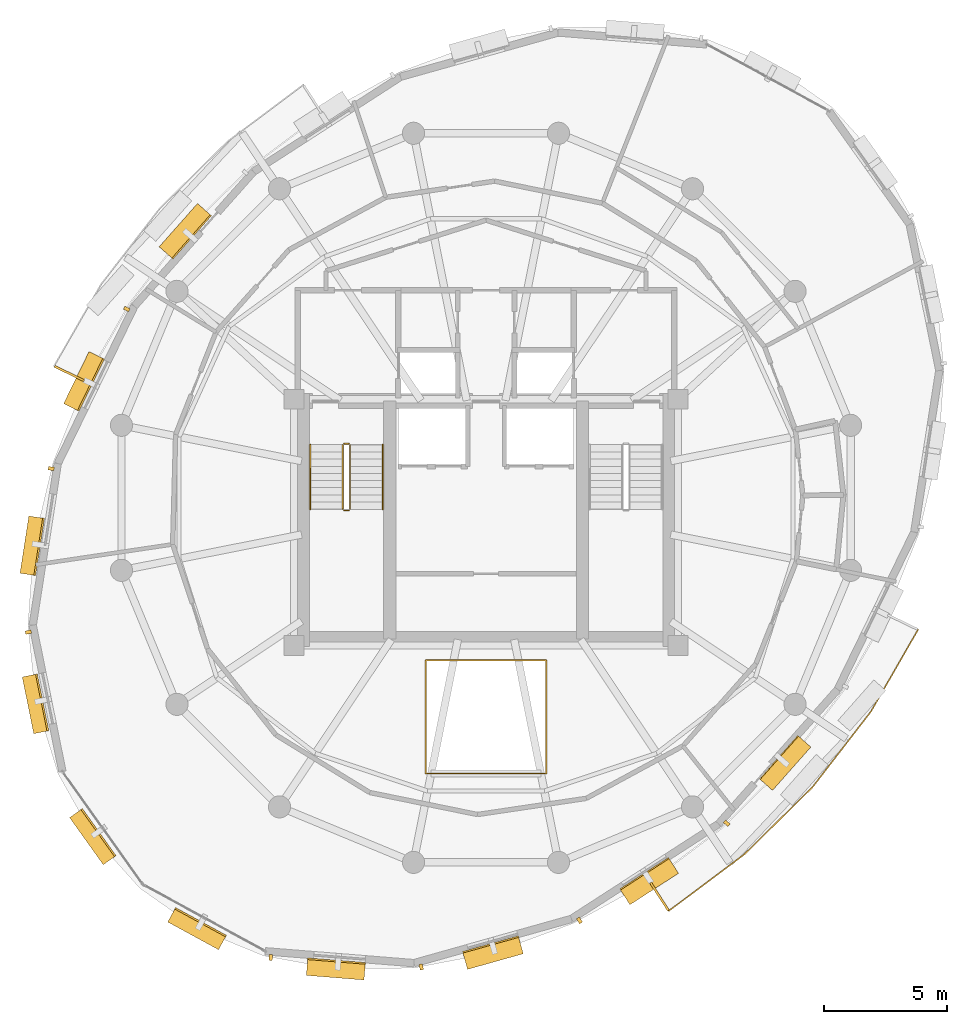
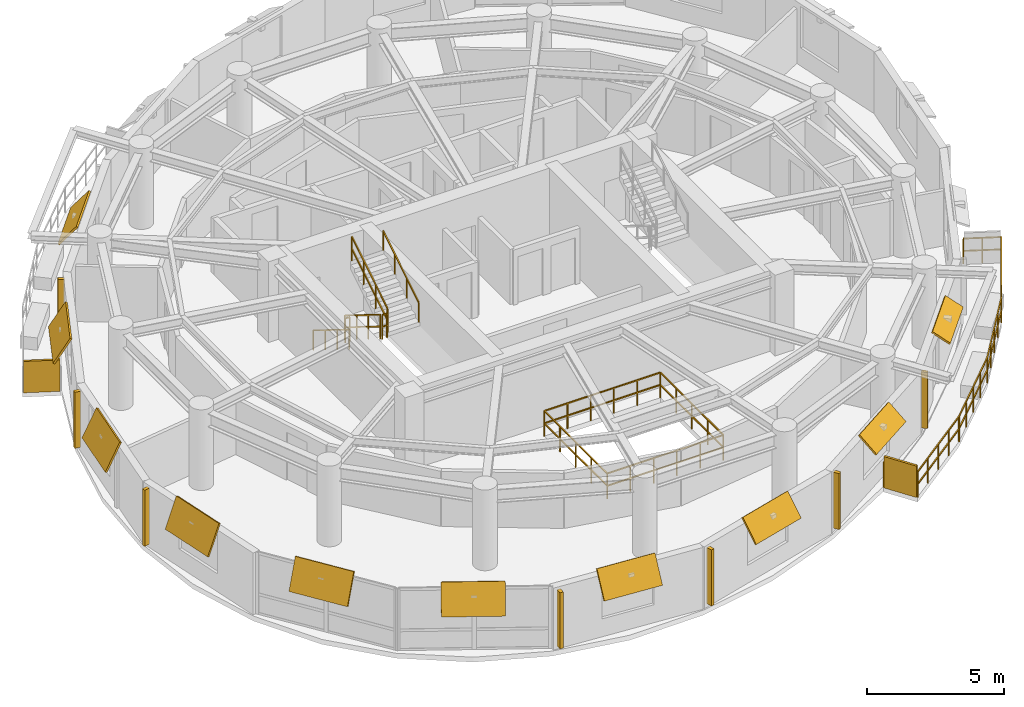
# One storey, part 10 of 11: 19 shading devices, 8 railings.
"""IFC4 building model written with IfcOpenShell, lengths in metres."""

from ifc_helpers import new_model, si_unit, direction, frame, origin, origin_2d, place, context, subcontext, project, spatial, rectangle, extrude, material, layer, layer_set, type_object, element, save


model = new_model("IFC4")

# Units and contexts
model_context = context("Model", 3, precision=1e-05, world=origin(), true_north=direction((0.0, 1.0)))
body_context = subcontext(model_context, "Body", "Model", "MODEL_VIEW")
ifc_project = project(units=[si_unit("LENGTHUNIT", "METRE"), si_unit("AREAUNIT", "SQUARE_METRE"), si_unit("VOLUMEUNIT", "CUBIC_METRE"), si_unit("PLANEANGLEUNIT", "RADIAN"), si_unit("MASSUNIT", "GRAM", prefix="KILO"), si_unit("THERMODYNAMICTEMPERATUREUNIT", "KELVIN"), si_unit("POWERUNIT", "WATT")], contexts=[model_context])

# Site, building, storey
site_placement = place(None, origin())
site = spatial("IfcSite", under=ifc_project, at=site_placement, CompositionType="ELEMENT")
building_placement = place(site_placement, origin())
building = spatial("IfcBuilding", under=site, at=building_placement, Name="Ocrelia Relay Tower", CompositionType="ELEMENT")
storey_placement = place(building_placement, frame((0.0, 0.0, 234.0)))
storey = spatial("IfcBuildingStorey", under=building, at=storey_placement, Name="L57", CompositionType="ELEMENT", Elevation=234.0)

# Railings
ifc_material_1 = material(Name="Steel S355 balustrade", Category="steel")
railing_type_1 = type_object("IfcRailingType", Name="RL-EXT-GUARD-1150", PredefinedType="GUARDRAIL", material=ifc_material_1)
railing_1_placement = place(storey_placement, frame((50.29931640625, 21.25390625, 0.0)))
element("IfcRailing", 1, at=railing_1_placement, inside=storey, type_object=railing_type_1, Name="L57 Loggia Balcony Guard Rail B2", PredefinedType="GUARDRAIL", context=body_context, shape_type="SweptSolid", body=[
    extrude(rectangle(XDim=0.048095703125, YDim=0.048095703125, at=origin_2d()), frame((0.0, 0.0, 1.1259765625), z_axis=(0.899793261261, -0.436316498645, 0.0), x_axis=(0.436316498645, 0.899793261261, 0.0)), (0.0, 0.0, 1.0), 1.393310546875),
    extrude(rectangle(XDim=0.048095703125, YDim=0.048095703125, at=origin_2d()), frame((0.0, 0.0, 0.574951171875), z_axis=(0.899793261261, -0.436316498645, 0.0), x_axis=(0.436316498645, 0.899793261261, 0.0)), (0.0, 0.0, 1.0), 1.393310546875),
    extrude(rectangle(XDim=0.048095703125, YDim=0.048095703125, at=origin_2d()), frame((1.253662109375, -0.60791015625, 1.1259765625), z_axis=(-0.498518886145, -0.866878838222, 0.0), x_axis=(0.866878838222, -0.498518886145, 0.0)), (0.0, 0.0, 1.0), 1.920654296875),
    extrude(rectangle(XDim=0.048095703125, YDim=0.048095703125, at=origin_2d()), frame((1.253662109375, -0.60791015625, 0.574951171875), z_axis=(-0.498518886145, -0.866878838222, 0.0), x_axis=(0.866878838222, -0.498518886145, 0.0)), (0.0, 0.0, 1.0), 1.920654296875),
    extrude(rectangle(XDim=0.048095703125, YDim=0.048095703125, at=origin_2d()), frame((0.296142578125, -2.27294921875, 1.1259765625), z_axis=(-0.498614396299, -0.866823905879, 0.0), x_axis=(0.866823905879, -0.498614396299, 0.0)), (0.0, 0.0, 1.0), 1.9208984375),
    extrude(rectangle(XDim=0.048095703125, YDim=0.048095703125, at=origin_2d()), frame((0.296142578125, -2.27294921875, 0.574951171875), z_axis=(-0.498614396299, -0.866823905879, 0.0), x_axis=(0.866823905879, -0.498614396299, 0.0)), (0.0, 0.0, 1.0), 1.9208984375),
    extrude(rectangle(XDim=0.048095703125, YDim=0.048095703125, at=origin_2d()), frame((-0.66162109375, -3.93798828125, 1.1259765625), z_axis=(-0.611569211269, -0.791190937655, 0.0), x_axis=(0.791190937655, -0.611569211269, 0.0)), (0.0, 0.0, 1.0), 3.8818359375),
    extrude(rectangle(XDim=0.048095703125, YDim=0.048095703125, at=origin_2d()), frame((-0.66162109375, -3.93798828125, 0.574951171875), z_axis=(-0.611569211269, -0.791190937655, 0.0), x_axis=(0.791190937655, -0.611569211269, 0.0)), (0.0, 0.0, 1.0), 3.8818359375),
    extrude(rectangle(XDim=0.048095703125, YDim=0.048095703125, at=origin_2d()), frame((-3.03564453125, -7.00927734375, 1.1259765625), z_axis=(-0.7119953063, -0.702184223553, 0.0), x_axis=(0.702184223553, -0.7119953063, 0.0)), (0.0, 0.0, 1.0), 3.8818359375),
    extrude(rectangle(XDim=0.048095703125, YDim=0.048095703125, at=origin_2d()), frame((-3.03564453125, -7.00927734375, 0.574951171875), z_axis=(-0.7119953063, -0.702184223553, 0.0), x_axis=(0.702184223553, -0.7119953063, 0.0)), (0.0, 0.0, 1.0), 3.8818359375),
    extrude(rectangle(XDim=0.048095703125, YDim=0.048095703125, at=origin_2d()), frame((-5.799560546875, -9.735107421875, 1.1259765625), z_axis=(-0.800685887632, -0.599084392508, 0.0), x_axis=(0.599084392508, -0.800685887632, 0.0)), (0.0, 0.0, 1.0), 1.920654296875),
    extrude(rectangle(XDim=0.048095703125, YDim=0.048095703125, at=origin_2d()), frame((-5.799560546875, -9.735107421875, 0.574951171875), z_axis=(-0.800685887632, -0.599084392508, 0.0), x_axis=(0.599084392508, -0.800685887632, 0.0)), (0.0, 0.0, 1.0), 1.920654296875),
    extrude(rectangle(XDim=0.048095703125, YDim=0.048095703125, at=origin_2d()), frame((-7.33740234375, -10.8857421875, 1.1259765625), z_axis=(-0.800624914682, -0.599165875188, 0.0), x_axis=(0.599165875188, -0.800624914682, 0.0)), (0.0, 0.0, 1.0), 1.9208984375),
    extrude(rectangle(XDim=0.048095703125, YDim=0.048095703125, at=origin_2d()), frame((-7.33740234375, -10.8857421875, 0.574951171875), z_axis=(-0.800624914682, -0.599165875188, 0.0), x_axis=(0.599165875188, -0.800624914682, 0.0)), (0.0, 0.0, 1.0), 1.9208984375),
    extrude(rectangle(XDim=0.048095703125, YDim=0.048095703125, at=origin_2d()), frame((-8.875244140625, -12.03662109375, 1.1259765625), z_axis=(-0.541244565297, 0.840865221386, 0.0), x_axis=(-0.840865221386, -0.541244565297, 0.0)), (0.0, 0.0, 1.0), 1.393310546875),
    extrude(rectangle(XDim=0.048095703125, YDim=0.048095703125, at=origin_2d()), frame((-8.875244140625, -12.03662109375, 0.574951171875), z_axis=(-0.541244565297, 0.840865221386, 0.0), x_axis=(-0.840865221386, -0.541244565297, 0.0)), (0.0, 0.0, 1.0), 1.393310546875),
    extrude(rectangle(XDim=0.0419921875, YDim=0.0419921875, at=origin_2d()), origin(), (0.0, 0.0, 1.0), 1.101806640625),
    extrude(rectangle(XDim=0.0419921875, YDim=0.0419921875, at=origin_2d()), frame((0.626953125, -0.303955078125, 0.0)), (0.0, 0.0, 1.0), 1.101806640625),
    extrude(rectangle(XDim=0.0419921875, YDim=0.0419921875, at=origin_2d()), frame((1.253662109375, -0.60791015625, 0.0)), (0.0, 0.0, 1.0), 1.101806640625),
    extrude(rectangle(XDim=0.0419921875, YDim=0.0419921875, at=origin_2d()), frame((0.77490234375, -1.4404296875, 0.0)), (0.0, 0.0, 1.0), 1.101806640625),
    extrude(rectangle(XDim=0.0419921875, YDim=0.0419921875, at=origin_2d()), frame((0.296142578125, -2.27294921875, 0.0)), (0.0, 0.0, 1.0), 1.101806640625),
    extrude(rectangle(XDim=0.0419921875, YDim=0.0419921875, at=origin_2d()), frame((-0.1826171875, -3.10546875, 0.0)), (0.0, 0.0, 1.0), 1.101806640625),
    extrude(rectangle(XDim=0.0419921875, YDim=0.0419921875, at=origin_2d()), frame((-0.66162109375, -3.93798828125, 0.0)), (0.0, 0.0, 1.0), 1.101806640625),
    extrude(rectangle(XDim=0.0419921875, YDim=0.0419921875, at=origin_2d()), frame((-1.255126953125, -4.705810546875, 0.0)), (0.0, 0.0, 1.0), 1.101806640625),
    extrude(rectangle(XDim=0.0419921875, YDim=0.0419921875, at=origin_2d()), frame((-1.8486328125, -5.4736328125, 0.0)), (0.0, 0.0, 1.0), 1.101806640625),
    extrude(rectangle(XDim=0.0419921875, YDim=0.0419921875, at=origin_2d()), frame((-2.442138671875, -6.241455078125, 0.0)), (0.0, 0.0, 1.0), 1.101806640625),
    extrude(rectangle(XDim=0.0419921875, YDim=0.0419921875, at=origin_2d()), frame((-3.03564453125, -7.00927734375, 0.0)), (0.0, 0.0, 1.0), 1.101806640625),
    extrude(rectangle(XDim=0.0419921875, YDim=0.0419921875, at=origin_2d()), frame((-3.7265625, -7.690673828125, 0.0)), (0.0, 0.0, 1.0), 1.101806640625),
    extrude(rectangle(XDim=0.0419921875, YDim=0.0419921875, at=origin_2d()), frame((-4.41748046875, -8.3720703125, 0.0)), (0.0, 0.0, 1.0), 1.101806640625),
    extrude(rectangle(XDim=0.0419921875, YDim=0.0419921875, at=origin_2d()), frame((-5.108642578125, -9.0537109375, 0.0)), (0.0, 0.0, 1.0), 1.101806640625),
    extrude(rectangle(XDim=0.0419921875, YDim=0.0419921875, at=origin_2d()), frame((-5.799560546875, -9.735107421875, 0.0)), (0.0, 0.0, 1.0), 1.101806640625),
    extrude(rectangle(XDim=0.0419921875, YDim=0.0419921875, at=origin_2d()), frame((-6.568359375, -10.310546875, 0.0)), (0.0, 0.0, 1.0), 1.101806640625),
    extrude(rectangle(XDim=0.0419921875, YDim=0.0419921875, at=origin_2d()), frame((-7.33740234375, -10.8857421875, 0.0)), (0.0, 0.0, 1.0), 1.101806640625),
    extrude(rectangle(XDim=0.0419921875, YDim=0.0419921875, at=origin_2d()), frame((-8.1064453125, -11.461181640625, 0.0)), (0.0, 0.0, 1.0), 1.101806640625),
    extrude(rectangle(XDim=0.0419921875, YDim=0.0419921875, at=origin_2d()), frame((-8.875244140625, -12.03662109375, 0.0)), (0.0, 0.0, 1.0), 1.101806640625),
    extrude(rectangle(XDim=0.0419921875, YDim=0.0419921875, at=origin_2d()), frame((-9.25244140625, -11.45068359375, 0.0)), (0.0, 0.0, 1.0), 1.101806640625),
    extrude(rectangle(XDim=0.0419921875, YDim=0.0419921875, at=origin_2d()), frame((-9.62939453125, -10.864990234375, 0.0)), (0.0, 0.0, 1.0), 1.101806640625),
])
ifc_material_2 = material(Name="Steel S355 atrium balustrade", Category="steel")
railing_type_2 = type_object("IfcRailingType", Name="RL-INT-GUARD-115", PredefinedType="GUARDRAIL", material=ifc_material_2)
railing_2_placement = place(storey_placement, frame((31.550048828125, 14.800048828125, 0.0)))
element("IfcRailing", 2, at=railing_2_placement, inside=storey, type_object=railing_type_2, Name="L57 Multi-Zone Interior Atrium Guard", PredefinedType="GUARDRAIL", context=body_context, shape_type="SweptSolid", body=[
    extrude(rectangle(XDim=0.048095703125, YDim=0.048095703125, at=origin_2d()), frame((0.0, 0.0, 1.1259765625), z_axis=(1.0, 0.0, 0.0), x_axis=(0.0, 1.0, 0.0)), (0.0, 0.0, 1.0), 4.89990234375),
    extrude(rectangle(XDim=0.048095703125, YDim=0.048095703125, at=origin_2d()), frame((0.0, 0.0, 0.574951171875), z_axis=(1.0, 0.0, 0.0), x_axis=(0.0, 1.0, 0.0)), (0.0, 0.0, 1.0), 4.89990234375),
    extrude(rectangle(XDim=0.048095703125, YDim=0.048095703125, at=origin_2d()), frame((4.89990234375, 0.0, 1.1259765625), z_axis=(0.0, 1.0, 0.0), x_axis=(-1.0, 0.0, 0.0)), (0.0, 0.0, 1.0), 4.599853515625),
    extrude(rectangle(XDim=0.048095703125, YDim=0.048095703125, at=origin_2d()), frame((4.89990234375, 0.0, 0.574951171875), z_axis=(0.0, 1.0, 0.0), x_axis=(-1.0, 0.0, 0.0)), (0.0, 0.0, 1.0), 4.599853515625),
    extrude(rectangle(XDim=0.048095703125, YDim=0.048095703125, at=origin_2d()), frame((4.89990234375, 4.599853515625, 1.1259765625), z_axis=(-1.0, 0.0, 0.0), x_axis=(0.0, -1.0, 0.0)), (0.0, 0.0, 1.0), 4.89990234375),
    extrude(rectangle(XDim=0.048095703125, YDim=0.048095703125, at=origin_2d()), frame((4.89990234375, 4.599853515625, 0.574951171875), z_axis=(-1.0, 0.0, 0.0), x_axis=(0.0, -1.0, 0.0)), (0.0, 0.0, 1.0), 4.89990234375),
    extrude(rectangle(XDim=0.048095703125, YDim=0.048095703125, at=origin_2d()), frame((0.0, 4.599853515625, 1.1259765625), z_axis=(0.0, -1.0, 0.0), x_axis=(1.0, 0.0, 0.0)), (0.0, 0.0, 1.0), 4.599853515625),
    extrude(rectangle(XDim=0.048095703125, YDim=0.048095703125, at=origin_2d()), frame((0.0, 4.599853515625, 0.574951171875), z_axis=(0.0, -1.0, 0.0), x_axis=(1.0, 0.0, 0.0)), (0.0, 0.0, 1.0), 4.599853515625),
    extrude(rectangle(XDim=0.0419921875, YDim=0.0419921875, at=origin_2d()), origin(), (0.0, 0.0, 1.0), 1.101806640625),
    extrude(rectangle(XDim=0.0419921875, YDim=0.0419921875, at=origin_2d()), frame((0.97998046875, 0.0, 0.0)), (0.0, 0.0, 1.0), 1.101806640625),
    extrude(rectangle(XDim=0.0419921875, YDim=0.0419921875, at=origin_2d()), frame((1.9599609375, 0.0, 0.0)), (0.0, 0.0, 1.0), 1.101806640625),
    extrude(rectangle(XDim=0.0419921875, YDim=0.0419921875, at=origin_2d()), frame((2.93994140625, 0.0, 0.0)), (0.0, 0.0, 1.0), 1.101806640625),
    extrude(rectangle(XDim=0.0419921875, YDim=0.0419921875, at=origin_2d()), frame((3.919921875, 0.0, 0.0)), (0.0, 0.0, 1.0), 1.101806640625),
    extrude(rectangle(XDim=0.0419921875, YDim=0.0419921875, at=origin_2d()), frame((4.89990234375, 0.0, 0.0)), (0.0, 0.0, 1.0), 1.101806640625),
    extrude(rectangle(XDim=0.0419921875, YDim=0.0419921875, at=origin_2d()), frame((4.89990234375, 1.14990234375, 0.0)), (0.0, 0.0, 1.0), 1.101806640625),
    extrude(rectangle(XDim=0.0419921875, YDim=0.0419921875, at=origin_2d()), frame((4.89990234375, 2.2998046875, 0.0)), (0.0, 0.0, 1.0), 1.101806640625),
    extrude(rectangle(XDim=0.0419921875, YDim=0.0419921875, at=origin_2d()), frame((4.89990234375, 3.449951171875, 0.0)), (0.0, 0.0, 1.0), 1.101806640625),
    extrude(rectangle(XDim=0.0419921875, YDim=0.0419921875, at=origin_2d()), frame((4.89990234375, 4.599853515625, 0.0)), (0.0, 0.0, 1.0), 1.101806640625),
    extrude(rectangle(XDim=0.0419921875, YDim=0.0419921875, at=origin_2d()), frame((3.919921875, 4.599853515625, 0.0)), (0.0, 0.0, 1.0), 1.101806640625),
    extrude(rectangle(XDim=0.0419921875, YDim=0.0419921875, at=origin_2d()), frame((2.93994140625, 4.599853515625, 0.0)), (0.0, 0.0, 1.0), 1.101806640625),
    extrude(rectangle(XDim=0.0419921875, YDim=0.0419921875, at=origin_2d()), frame((1.9599609375, 4.599853515625, 0.0)), (0.0, 0.0, 1.0), 1.101806640625),
    extrude(rectangle(XDim=0.0419921875, YDim=0.0419921875, at=origin_2d()), frame((0.97998046875, 4.599853515625, 0.0)), (0.0, 0.0, 1.0), 1.101806640625),
    extrude(rectangle(XDim=0.0419921875, YDim=0.0419921875, at=origin_2d()), frame((0.0, 4.599853515625, 0.0)), (0.0, 0.0, 1.0), 1.101806640625),
    extrude(rectangle(XDim=0.0419921875, YDim=0.0419921875, at=origin_2d()), frame((0.0, 3.449951171875, 0.0)), (0.0, 0.0, 1.0), 1.101806640625),
    extrude(rectangle(XDim=0.0419921875, YDim=0.0419921875, at=origin_2d()), frame((0.0, 2.2998046875, 0.0)), (0.0, 0.0, 1.0), 1.101806640625),
    extrude(rectangle(XDim=0.0419921875, YDim=0.0419921875, at=origin_2d()), frame((0.0, 1.14990234375, 0.0)), (0.0, 0.0, 1.0), 1.101806640625),
])
railing_type_3 = type_object("IfcRailingType", Name="RL-STAIR-GUARD", PredefinedType="GUARDRAIL", material=ifc_material_1)
railing_3_placement = place(storey_placement, frame((28.179931640625, 28.14990234375, 0.179931640625)))
element("IfcRailing", 3, at=railing_3_placement, inside=storey, type_object=railing_type_3, Name="L57 ST1 stair guard 1", PredefinedType="GUARDRAIL", context=body_context, shape_type="SweptSolid", body=[
    extrude(rectangle(XDim=0.048095703125, YDim=0.048095703125, at=origin_2d()), frame((0.0, 0.0, 1.076171875), z_axis=(0.0, -0.849610693518, 0.52741034258), x_axis=(1.0, 0.0, 0.0)), (0.0, 0.0, 1.0), 3.07177734375),
    extrude(rectangle(XDim=0.048095703125, YDim=0.048095703125, at=origin_2d()), frame((0.0, 0.0, 0.550048828125), z_axis=(0.0, -0.849610693518, 0.52741034258), x_axis=(1.0, 0.0, 0.0)), (0.0, 0.0, 1.0), 3.07177734375),
    extrude(rectangle(XDim=0.0419921875, YDim=0.0419921875, at=origin_2d()), origin(), (0.0, 0.0, 1.0), 1.052001953125),
    extrude(rectangle(XDim=0.0419921875, YDim=0.0419921875, at=origin_2d()), frame((0.0, -0.869873046875, 0.5400390625)), (0.0, 0.0, 1.0), 1.052001953125),
    extrude(rectangle(XDim=0.0419921875, YDim=0.0419921875, at=origin_2d()), frame((0.0, -1.739990234375, 1.080078125)), (0.0, 0.0, 1.0), 1.052001953125),
    extrude(rectangle(XDim=0.0419921875, YDim=0.0419921875, at=origin_2d()), frame((0.0, -2.60986328125, 1.6201171875)), (0.0, 0.0, 1.0), 1.052001953125),
])
railing_4_placement = place(storey_placement, frame((28.22998046875, 25.489990234375, 1.800048828125)))
element("IfcRailing", 4, at=railing_4_placement, inside=storey, type_object=railing_type_3, Name="L57 ST1 stair guard 2", PredefinedType="GUARDRAIL", context=body_context, shape_type="SweptSolid", body=[
    extrude(rectangle(XDim=0.048095703125, YDim=0.048095703125, at=origin_2d()), frame((0.0, 0.0, 1.076171875), z_axis=(1.0, 0.0, 0.0), x_axis=(0.0, 1.0, 0.0)), (0.0, 0.0, 1.0), 0.199951171875),
    extrude(rectangle(XDim=0.048095703125, YDim=0.048095703125, at=origin_2d()), frame((0.0, 0.0, 0.550048828125), z_axis=(1.0, 0.0, 0.0), x_axis=(0.0, 1.0, 0.0)), (0.0, 0.0, 1.0), 0.199951171875),
    extrude(rectangle(XDim=0.0419921875, YDim=0.0419921875, at=origin_2d()), origin(), (0.0, 0.0, 1.0), 1.052001953125),
    extrude(rectangle(XDim=0.0419921875, YDim=0.0419921875, at=origin_2d()), frame((0.199951171875, 0.0, 0.0)), (0.0, 0.0, 1.0), 1.052001953125),
])
railing_5_placement = place(storey_placement, frame((28.47998046875, 25.5400390625, 1.97998046875)))
element("IfcRailing", 5, at=railing_5_placement, inside=storey, type_object=railing_type_3, Name="L57 ST1 stair guard 3", PredefinedType="GUARDRAIL", context=body_context, shape_type="SweptSolid", body=[
    extrude(rectangle(XDim=0.048095703125, YDim=0.048095703125, at=origin_2d()), frame((0.0, 0.0, 1.076171875), z_axis=(0.0, 0.849610693518, 0.52741034258), x_axis=(-1.0, 0.0, 0.0)), (0.0, 0.0, 1.0), 3.07177734375),
    extrude(rectangle(XDim=0.048095703125, YDim=0.048095703125, at=origin_2d()), frame((0.0, 0.0, 0.550048828125), z_axis=(0.0, 0.849610693518, 0.52741034258), x_axis=(-1.0, 0.0, 0.0)), (0.0, 0.0, 1.0), 3.07177734375),
    extrude(rectangle(XDim=0.0419921875, YDim=0.0419921875, at=origin_2d()), origin(), (0.0, 0.0, 1.0), 1.052001953125),
    extrude(rectangle(XDim=0.0419921875, YDim=0.0419921875, at=origin_2d()), frame((0.0, 0.869873046875, 0.5400390625)), (0.0, 0.0, 1.0), 1.052001953125),
    extrude(rectangle(XDim=0.0419921875, YDim=0.0419921875, at=origin_2d()), frame((0.0, 1.739990234375, 1.080078125)), (0.0, 0.0, 1.0), 1.052001953125),
    extrude(rectangle(XDim=0.0419921875, YDim=0.0419921875, at=origin_2d()), frame((0.0, 2.60986328125, 1.6201171875)), (0.0, 0.0, 1.0), 1.052001953125),
])
railing_6_placement = place(storey_placement, frame((28.22998046875, 28.199951171875, 0.0)))
element("IfcRailing", 6, at=railing_6_placement, inside=storey, type_object=railing_type_3, Name="L57 ST1 stair guard 4", PredefinedType="GUARDRAIL", context=body_context, shape_type="SweptSolid", body=[
    extrude(rectangle(XDim=0.048095703125, YDim=0.048095703125, at=origin_2d()), frame((0.0, 0.0, 1.076171875), z_axis=(1.0, 0.0, 0.0), x_axis=(0.0, 1.0, 0.0)), (0.0, 0.0, 1.0), 0.199951171875),
    extrude(rectangle(XDim=0.048095703125, YDim=0.048095703125, at=origin_2d()), frame((0.0, 0.0, 0.550048828125), z_axis=(1.0, 0.0, 0.0), x_axis=(0.0, 1.0, 0.0)), (0.0, 0.0, 1.0), 0.199951171875),
    extrude(rectangle(XDim=0.0419921875, YDim=0.0419921875, at=origin_2d()), origin(), (0.0, 0.0, 1.0), 1.052001953125),
    extrude(rectangle(XDim=0.0419921875, YDim=0.0419921875, at=origin_2d()), frame((0.199951171875, 0.0, 0.0)), (0.0, 0.0, 1.0), 1.052001953125),
])
ifc_material_3 = material(Name="Steel S355 tubular handrail", Category="steel")
railing_type_4 = type_object("IfcRailingType", Name="RL-STAIR-HAND", PredefinedType="HANDRAIL", material=ifc_material_3)
railing_7_placement = place(storey_placement, frame((26.860107421875, 28.14990234375, 0.179931640625)))
element("IfcRailing", 7, at=railing_7_placement, inside=storey, type_object=railing_type_4, Name="L57 ST1 stair handrail 1", PredefinedType="HANDRAIL", context=body_context, shape_type="SweptSolid", body=[
    extrude(rectangle(XDim=0.048095703125, YDim=0.048095703125, at=origin_2d()), frame((0.0, 0.0, 0.8759765625), z_axis=(0.0, -0.849610693518, 0.52741034258), x_axis=(1.0, 0.0, 0.0)), (0.0, 0.0, 1.0), 3.07177734375),
    extrude(rectangle(XDim=0.0419921875, YDim=0.0419921875, at=origin_2d()), origin(), (0.0, 0.0, 1.0), 0.851806640625),
    extrude(rectangle(XDim=0.0419921875, YDim=0.0419921875, at=origin_2d()), frame((0.0, -0.869873046875, 0.5400390625)), (0.0, 0.0, 1.0), 0.851806640625),
    extrude(rectangle(XDim=0.0419921875, YDim=0.0419921875, at=origin_2d()), frame((0.0, -1.739990234375, 1.080078125)), (0.0, 0.0, 1.0), 0.851806640625),
    extrude(rectangle(XDim=0.0419921875, YDim=0.0419921875, at=origin_2d()), frame((0.0, -2.60986328125, 1.6201171875)), (0.0, 0.0, 1.0), 0.851806640625),
])
railing_8_placement = place(storey_placement, frame((29.800048828125, 25.5400390625, 1.97998046875)))
element("IfcRailing", 8, at=railing_8_placement, inside=storey, type_object=railing_type_4, Name="L57 ST1 stair handrail 2", PredefinedType="HANDRAIL", context=body_context, shape_type="SweptSolid", body=[
    extrude(rectangle(XDim=0.048095703125, YDim=0.048095703125, at=origin_2d()), frame((0.0, 0.0, 0.8759765625), z_axis=(0.0, 0.849610693518, 0.52741034258), x_axis=(-1.0, 0.0, 0.0)), (0.0, 0.0, 1.0), 3.07177734375),
    extrude(rectangle(XDim=0.0419921875, YDim=0.0419921875, at=origin_2d()), origin(), (0.0, 0.0, 1.0), 0.851806640625),
    extrude(rectangle(XDim=0.0419921875, YDim=0.0419921875, at=origin_2d()), frame((0.0, 0.869873046875, 0.5400390625)), (0.0, 0.0, 1.0), 0.851806640625),
    extrude(rectangle(XDim=0.0419921875, YDim=0.0419921875, at=origin_2d()), frame((0.0, 1.739990234375, 1.080078125)), (0.0, 0.0, 1.0), 0.851806640625),
    extrude(rectangle(XDim=0.0419921875, YDim=0.0419921875, at=origin_2d()), frame((0.0, 2.60986328125, 1.6201171875)), (0.0, 0.0, 1.0), 0.851806640625),
])

# Shading devices
ifc_material_4 = material(Name="Perforated oxide terracotta solar screen", Category="masonry")
ifc_layer_1 = layer(ifc_material_4, 0.090087890625, Name="Perforated oxide terracotta solar screen")
ifc_layer_set_1 = layer_set([ifc_layer_1], Name="Perforated oxide terracotta solar screen")
shading_device_type_1 = type_object("IfcShadingDeviceType", Name="SH-BALC-SCREEN", PredefinedType="USERDEFINED", material=ifc_layer_set_1)
for number, where, z_axis, x_axis, name in (
    (9, (17.07373046875, 31.050048828125, 0.0), (0.0, 0.0, 1.0), (-0.899786786798, 0.436329850346, 0.0), "L57 Balcony Perforated Terracotta Screen B1-2"),
    (10, (41.047119140625, 9.802978515625, 0.0), (0.0, 0.0, 1.0), (0.541247155761, -0.840863553961, 0.0), "L57 Balcony Perforated Terracotta Screen B2-1"),
):
    element("IfcShadingDevice", number, at=place(storey_placement, frame(where, z_axis=z_axis, x_axis=x_axis)), inside=storey, type_object=shading_device_type_1, Name=name, ObjectType="SCREEN", PredefinedType="USERDEFINED", context=body_context, shape_type="SweptSolid", body=[
        extrude(rectangle(XDim=1.340087890625, YDim=0.090087890625, at=origin_2d()), origin(), (0.0, 0.0, 1.0), 1.39990234375),
    ])
ifc_material_5 = material(Name="Extruded oxide terracotta vertical baguette", Category="masonry")
shading_device_type_2 = type_object("IfcShadingDeviceType", Name="SH-TERR-BAGUETTE", PredefinedType="USERDEFINED", material=ifc_material_5)
for number, where, z_axis, x_axis, name in (
    (11, (19.40380859375, 33.67236328125, 0.1298828125), (0.0, 0.0, 1.0), (-0.43772709063, -0.899107887925, 0.0), "L57 Oxide Terracotta Vertical Baguette 06"),
    (12, (16.3369140625, 27.18798828125, 0.1298828125), (0.0, 0.0, 1.0), (-0.15292245042, -0.988238192015, 0.0), "L57 Oxide Terracotta Vertical Baguette 07"),
    (13, (15.407470703125, 20.544189453125, 0.1298828125), (0.0, 0.0, 1.0), (0.198818312079, -0.980036366051, 0.0), "L57 Oxide Terracotta Vertical Baguette 08"),
    (14, (25.253173828125, 7.3310546875, 0.1298828125), (0.0, 0.0, 1.0), (0.996824556045, -0.079629168433, 0.0), "L57 Oxide Terracotta Vertical Baguette 11"),
    (15, (31.3681640625, 6.940185546875, 0.1298828125), (0.0, 0.0, 1.0), (0.962711114518, 0.270531532328, 0.0), "L57 Oxide Terracotta Vertical Baguette 12"),
    (16, (37.796630859375, 8.8310546875, 0.1298828125), (0.0, 0.0, 1.0), (0.840008417794, 0.5425733665, 0.0), "L57 Oxide Terracotta Vertical Baguette 13"),
    (17, (43.7783203125, 12.781494140625, 0.1298828125), (0.0, 0.0, 1.0), (0.663272087012, 0.748378339204, 0.0), "L57 Oxide Terracotta Vertical Baguette 14"),
):
    element("IfcShadingDevice", number, at=place(storey_placement, frame(where, z_axis=z_axis, x_axis=x_axis)), inside=storey, type_object=shading_device_type_2, Name=name, ObjectType="BAGUETTE", PredefinedType="USERDEFINED", context=body_context, shape_type="SweptSolid", body=[
        extrude(rectangle(XDim=0.139892578125, YDim=0.239990234375, at=origin_2d()), origin(), (0.0, 0.0, 1.0), 2.5),
    ])
ifc_material_6 = material(Name="Extruded oxide terracotta fin", Category="masonry")
ifc_layer_2 = layer(ifc_material_6, 0.080078125, Name="Extruded oxide terracotta fin")
ifc_layer_set_2 = layer_set([ifc_layer_2], Name="Extruded oxide terracotta fin")
shading_device_type_3 = type_object("IfcShadingDeviceType", Name="SH-VISOR-FIN-DEEP", PredefinedType="USERDEFINED", material=ifc_layer_set_2)
shading_device_1_placement = place(storey_placement, frame((17.699462890625, 30.715576171875, 2.580078125), z_axis=(-0.779198924187, 0.379349889693, 0.498941577478), x_axis=(-0.43772709063, -0.899107887925, 0.0)))
element("IfcShadingDevice", 18, at=shading_device_1_placement, inside=storey, type_object=shading_device_type_3, Name="L57 Canted Terracotta Sun-Visor Fin 06", ObjectType="FIN", PredefinedType="USERDEFINED", context=body_context, shape_type="SweptSolid", body=[
    extrude(rectangle(XDim=2.35009765625, YDim=1.2509765625, at=origin_2d()), origin(), (0.0, 0.0, 1.0), 0.080078125),
])
shading_device_2_placement = place(storey_placement, frame((15.60009765625, 24.046142578125, 2.5830078125), z_axis=(-0.893448904309, 0.138254518876, 0.427357863387), x_axis=(-0.15292245042, -0.988238192015, 0.0)))
element("IfcShadingDevice", 19, at=shading_device_2_placement, inside=storey, type_object=shading_device_type_3, Name="L57 Canted Terracotta Sun-Visor Fin 07", ObjectType="FIN", PredefinedType="USERDEFINED", context=body_context, shape_type="SweptSolid", body=[
    extrude(rectangle(XDim=2.35009765625, YDim=1.327880859375, at=origin_2d()), origin(), (0.0, 0.0, 1.0), 0.080078125),
])
shading_device_3_placement = place(storey_placement, frame((15.734375, 17.63818359375, 2.583740234375), z_axis=(-0.89530777053, -0.181629565896, 0.406736643076), x_axis=(0.198818312079, -0.980036366051, 0.0)))
element("IfcShadingDevice", 20, at=shading_device_3_placement, inside=storey, type_object=shading_device_type_3, Name="L57 Canted Terracotta Sun-Visor Fin 08", ObjectType="FIN", PredefinedType="USERDEFINED", context=body_context, shape_type="SweptSolid", body=[
    extrude(rectangle(XDim=2.35009765625, YDim=1.35009765625, at=origin_2d()), origin(), (0.0, 0.0, 1.0), 0.080078125),
])
shading_device_4_placement = place(storey_placement, frame((18.055908203125, 12.256591796875, 2.583251953125), z_axis=(-0.738455261403, -0.526699791882, 0.421035813367), x_axis=(0.580677214758, -0.814133878585, 0.0)))
element("IfcShadingDevice", 21, at=shading_device_4_placement, inside=storey, type_object=shading_device_type_3, Name="L57 Canted Terracotta Sun-Visor Fin 09", ObjectType="FIN", PredefinedType="USERDEFINED", context=body_context, shape_type="SweptSolid", body=[
    extrude(rectangle(XDim=2.35009765625, YDim=1.3349609375, at=origin_2d()), origin(), (0.0, 0.0, 1.0), 0.080078125),
])
shading_device_5_placement = place(storey_placement, frame((22.278076171875, 8.52978515625, 2.58154296875), z_axis=(-0.424738433447, -0.779074500673, 0.461129250378), x_axis=(0.877995656301, -0.478668598842, 0.0)))
element("IfcShadingDevice", 22, at=shading_device_5_placement, inside=storey, type_object=shading_device_type_3, Name="L57 Canted Terracotta Sun-Visor Fin 10", ObjectType="FIN", PredefinedType="USERDEFINED", context=body_context, shape_type="SweptSolid", body=[
    extrude(rectangle(XDim=2.35009765625, YDim=1.2919921875, at=origin_2d()), origin(), (0.0, 0.0, 1.0), 0.080078125),
])
shading_device_6_placement = place(storey_placement, frame((27.90380859375, 6.89404296875, 2.5791015625), z_axis=(-0.067727462975, -0.847835027552, 0.525917062677), x_axis=(0.996824556045, -0.079629168433, 0.0)))
element("IfcShadingDevice", 23, at=shading_device_6_placement, inside=storey, type_object=shading_device_type_3, Name="L57 Canted Terracotta Sun-Visor Fin 11", ObjectType="FIN", PredefinedType="USERDEFINED", context=body_context, shape_type="SweptSolid", body=[
    extrude(rectangle(XDim=2.35009765625, YDim=1.220947265625, at=origin_2d()), origin(), (0.0, 0.0, 1.0), 0.080078125),
])
ifc_layer_3 = layer(ifc_material_6, 0.080078125, Name="Extruded oxide terracotta fin")
ifc_layer_set_3 = layer_set([ifc_layer_3], Name="Extruded oxide terracotta fin")
shading_device_type_4 = type_object("IfcShadingDeviceType", Name="SH-VISOR-FIN-MED", PredefinedType="USERDEFINED", material=ifc_layer_set_3)
shading_device_7_placement = place(storey_placement, frame((21.805419921875, 36.807861328125, 2.5751953125), z_axis=(-0.586093323524, 0.519442268052, 0.621831445234), x_axis=(-0.663272087012, -0.748378339204, 0.0)))
element("IfcShadingDevice", 24, at=shading_device_7_placement, inside=storey, type_object=shading_device_type_4, Name="L57 Canted Terracotta Sun-Visor Fin 05", ObjectType="FIN", PredefinedType="USERDEFINED", context=body_context, shape_type="SweptSolid", body=[
    extrude(rectangle(XDim=2.35009765625, YDim=1.10888671875, at=origin_2d()), origin(), (0.0, 0.0, 1.0), 0.080078125),
])
shading_device_8_placement = place(storey_placement, frame((34.271240234375, 7.5537109375, 2.575439453125), z_axis=(0.212628265442, -0.756657061896, 0.618271228037), x_axis=(0.962711114518, 0.270531532328, 0.0)))
element("IfcShadingDevice", 25, at=shading_device_8_placement, inside=storey, type_object=shading_device_type_4, Name="L57 Canted Terracotta Sun-Visor Fin 12", ObjectType="FIN", PredefinedType="USERDEFINED", context=body_context, shape_type="SweptSolid", body=[
    extrude(rectangle(XDim=2.35009765625, YDim=1.114013671875, at=origin_2d()), origin(), (0.0, 0.0, 1.0), 0.080078125),
])
shading_device_9_placement = place(storey_placement, frame((40.612548828125, 10.45166015625, 2.57080078125), z_axis=(0.368716232133, -0.570843977778, 0.73361126845), x_axis=(0.840008417794, 0.5425733665, 0.0)))
element("IfcShadingDevice", 26, at=shading_device_9_placement, inside=storey, type_object=shading_device_type_4, Name="L57 Canted Terracotta Sun-Visor Fin 13", ObjectType="FIN", PredefinedType="USERDEFINED", context=body_context, shape_type="SweptSolid", body=[
    extrude(rectangle(XDim=2.35009765625, YDim=0.964111328125, at=origin_2d()), origin(), (0.0, 0.0, 1.0), 0.080078125),
])
shading_device_10_placement = place(storey_placement, frame((46.13525390625, 15.24462890625, 2.56640625), z_axis=(0.401552430639, -0.355887530093, 0.843860006976), x_axis=(0.663272087012, 0.748378339204, 0.0)))
element("IfcShadingDevice", 27, at=shading_device_10_placement, inside=storey, type_object=shading_device_type_4, Name="L57 Canted Terracotta Sun-Visor Fin 14", ObjectType="FIN", PredefinedType="USERDEFINED", context=body_context, shape_type="SweptSolid", body=[
    extrude(rectangle(XDim=2.35009765625, YDim=0.791015625, at=origin_2d()), origin(), (0.0, 0.0, 1.0), 0.080078125),
])

save(model, "model.ifc")
